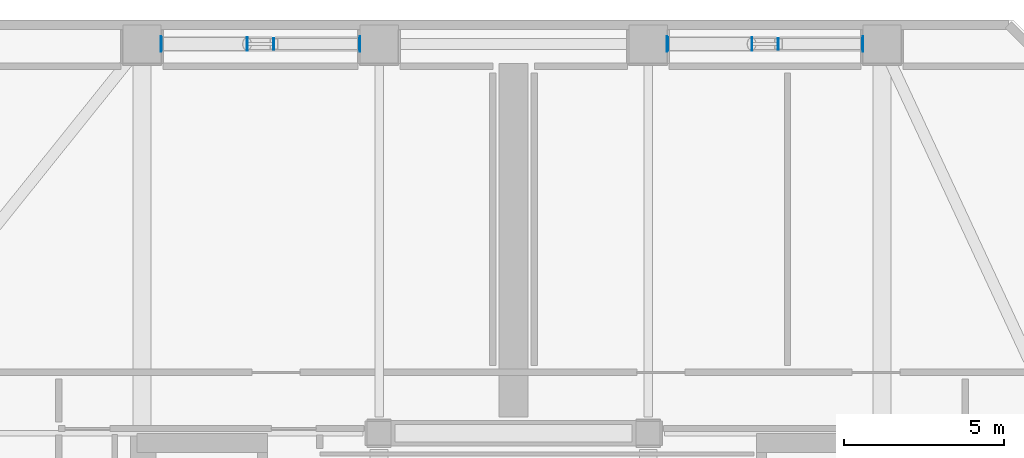
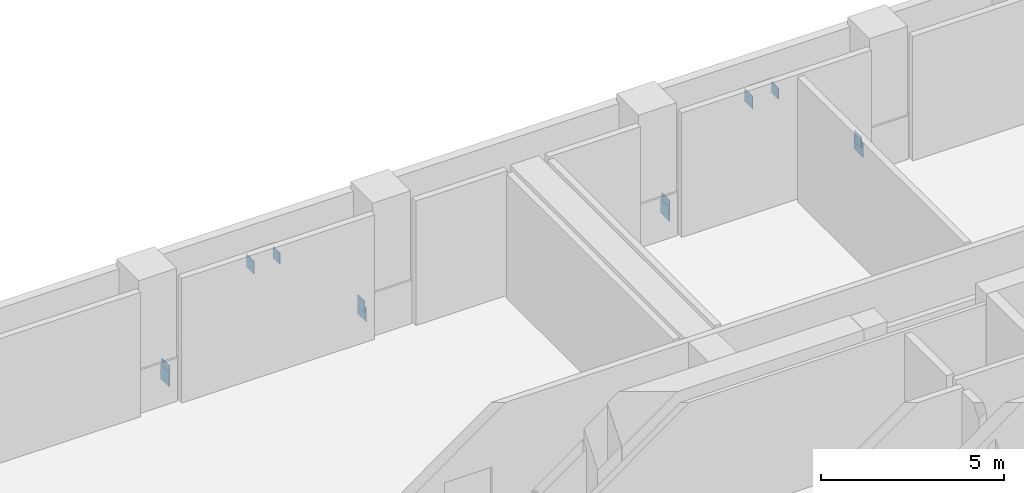
# One storey, part 7 of 12: 12 plates.
"""IFC4 building model written with IfcOpenShell, lengths in metres."""

from ifc_helpers import new_model, si_unit, direction, frame, origin, origin_2d, place, context, subcontext, project, spatial, rectangle, extrude, material, layer, layer_set, type_object, element, save


model = new_model("IFC4")

# Units and contexts
model_context = context("Model", 3, precision=1e-05, world=origin(), true_north=direction((0.0, 1.0)))
body_context = subcontext(model_context, "Body", "Model", "MODEL_VIEW")
ifc_project = project(units=[si_unit("LENGTHUNIT", "METRE"), si_unit("AREAUNIT", "SQUARE_METRE"), si_unit("VOLUMEUNIT", "CUBIC_METRE"), si_unit("PLANEANGLEUNIT", "RADIAN"), si_unit("MASSUNIT", "GRAM", prefix="KILO")], contexts=[model_context])

# Site, building, storey
site_placement = place(None, origin())
site = spatial("IfcSite", under=ifc_project, at=site_placement, CompositionType="ELEMENT")
building_placement = place(site_placement, origin())
building = spatial("IfcBuilding", under=site, at=building_placement, Name="Solanera Arch Residences", CompositionType="ELEMENT")
storey_placement = place(building_placement, frame((0.0, 0.0, 172.47998046875)))
storey = spatial("IfcBuildingStorey", under=building, at=storey_placement, Name="L50", CompositionType="ELEMENT", Elevation=172.47998046875)

# Plates
ifc_material = material(Name="Steel S355 (ASTM A992 / A572 Grade 50)", Category="steel")
ifc_layer = layer(ifc_material, 0.02001953125)
ifc_layer_set = layer_set([ifc_layer], Name="Steel S355 (ASTM A992 / A572 Grade 50)")
plate_type = type_object("IfcPlateType", Name="End Cap Plate EC-20", PredefinedType="USERDEFINED", material=ifc_layer_set)
for number, where, z_axis, x_axis, name in (
    (1, (13.989990234375, 51.550048828125, 0.21484375), (0.0, 0.0, 1.0), (-1.0, 0.0, 0.0), "Hollow Section End Cap 181"),
    (2, (20.2099609375, 51.550048828125, 0.21484375), (0.0, 0.0, 1.0), (1.0, 0.0, 0.0), "Hollow Section End Cap 182"),
):
    element("IfcPlate", number, at=place(storey_placement, frame(where, z_axis=z_axis, x_axis=x_axis)), inside=storey, type_object=plate_type, Name=name, ObjectType="STIFFENER", PredefinedType="USERDEFINED", context=body_context, shape_type="SweptSolid", body=[
        extrude(rectangle(XDim=0.02001953125, YDim=0.469970703125, at=origin_2d()), origin(), (0.0, 0.0, 1.0), 0.469970703125),
    ])
for number, where, z_axis, x_axis, name in (
    (3, (14.012939453125, 51.550048828125, 0.47509765625), (0.0, 0.0, 1.0), (-1.0, 0.0, 0.0), "Hollow Section End Cap 183"),
    (4, (16.68701171875, 51.550048828125, 3.02880859375), (0.0, 0.0, 1.0), (1.0, 0.0, 0.0), "Hollow Section End Cap 184"),
):
    element("IfcPlate", number, at=place(storey_placement, frame(where, z_axis=z_axis, x_axis=x_axis)), inside=storey, type_object=plate_type, Name=name, ObjectType="STIFFENER", PredefinedType="USERDEFINED", context=body_context, shape_type="SweptSolid", body=[
        extrude(rectangle(XDim=0.02001953125, YDim=0.426025390625, at=origin_2d()), origin(), (0.0, 0.0, 1.0), 0.426025390625),
    ])
for number, where, z_axis, x_axis, name in (
    (5, (20.18701171875, 51.550048828125, 0.5029296875), (0.0, 0.0, 1.0), (1.0, 0.0, 0.0), "Hollow Section End Cap 185"),
    (6, (17.512939453125, 51.550048828125, 3.056884765625), (0.0, 0.0, 1.0), (-1.0, 0.0, 0.0), "Hollow Section End Cap 186"),
):
    element("IfcPlate", number, at=place(storey_placement, frame(where, z_axis=z_axis, x_axis=x_axis)), inside=storey, type_object=plate_type, Name=name, ObjectType="STIFFENER", PredefinedType="USERDEFINED", context=body_context, shape_type="SweptSolid", body=[
        extrude(rectangle(XDim=0.02001953125, YDim=0.3701171875, at=origin_2d()), origin(), (0.0, 0.0, 1.0), 0.3701171875),
    ])
for number, where, z_axis, x_axis, name in (
    (7, (29.7900390625, 51.550048828125, 0.21484375), (0.0, 0.0, 1.0), (-1.0, 0.0, 0.0), "Hollow Section End Cap 187"),
    (8, (35.909912109375, 51.550048828125, 0.21484375), (0.0, 0.0, 1.0), (1.0, 0.0, 0.0), "Hollow Section End Cap 188"),
):
    element("IfcPlate", number, at=place(storey_placement, frame(where, z_axis=z_axis, x_axis=x_axis)), inside=storey, type_object=plate_type, Name=name, ObjectType="STIFFENER", PredefinedType="USERDEFINED", context=body_context, shape_type="SweptSolid", body=[
        extrude(rectangle(XDim=0.02001953125, YDim=0.469970703125, at=origin_2d()), origin(), (0.0, 0.0, 1.0), 0.469970703125),
    ])
for number, where, z_axis, x_axis, name in (
    (9, (29.81298828125, 51.550048828125, 0.47509765625), (0.0, 0.0, 1.0), (-1.0, 0.0, 0.0), "Hollow Section End Cap 189"),
    (10, (32.43701171875, 51.550048828125, 3.02880859375), (0.0, 0.0, 1.0), (1.0, 0.0, 0.0), "Hollow Section End Cap 190"),
):
    element("IfcPlate", number, at=place(storey_placement, frame(where, z_axis=z_axis, x_axis=x_axis)), inside=storey, type_object=plate_type, Name=name, ObjectType="STIFFENER", PredefinedType="USERDEFINED", context=body_context, shape_type="SweptSolid", body=[
        extrude(rectangle(XDim=0.02001953125, YDim=0.426025390625, at=origin_2d()), origin(), (0.0, 0.0, 1.0), 0.426025390625),
    ])
for number, where, z_axis, x_axis, name in (
    (11, (35.886962890625, 51.550048828125, 0.5029296875), (0.0, 0.0, 1.0), (1.0, 0.0, 0.0), "Hollow Section End Cap 191"),
    (12, (33.262939453125, 51.550048828125, 3.056884765625), (0.0, 0.0, 1.0), (-1.0, 0.0, 0.0), "Hollow Section End Cap 192"),
):
    element("IfcPlate", number, at=place(storey_placement, frame(where, z_axis=z_axis, x_axis=x_axis)), inside=storey, type_object=plate_type, Name=name, ObjectType="STIFFENER", PredefinedType="USERDEFINED", context=body_context, shape_type="SweptSolid", body=[
        extrude(rectangle(XDim=0.02001953125, YDim=0.3701171875, at=origin_2d()), origin(), (0.0, 0.0, 1.0), 0.3701171875),
    ])

save(model, "model.ifc")
